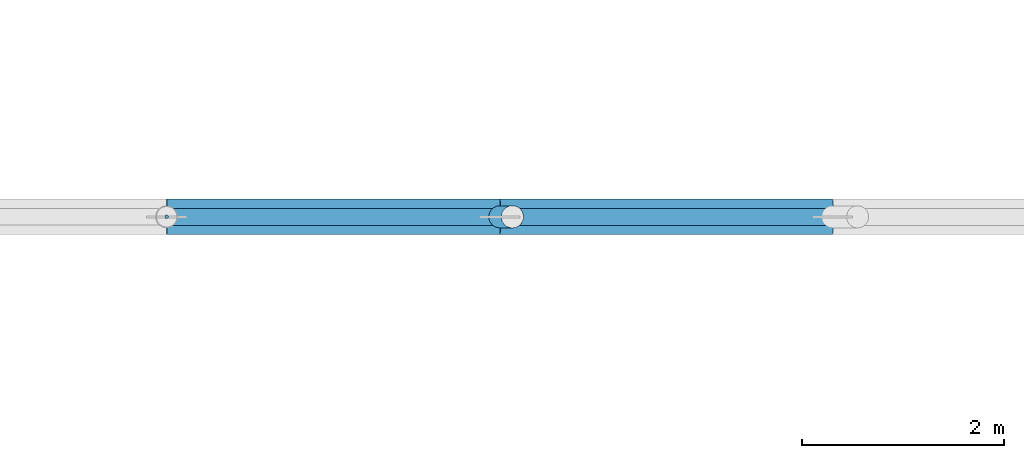
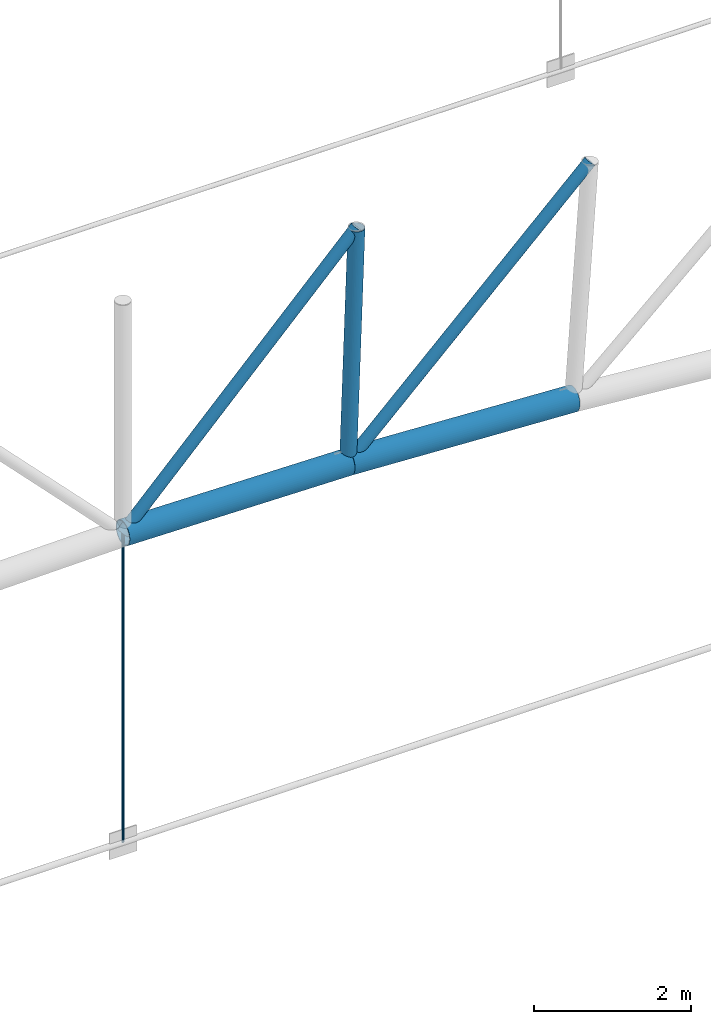
# One storey, part 89 of 321: 6 members.
"""IFC4 building model written with IfcOpenShell, lengths in metres."""

from ifc_helpers import new_model, si_unit, direction, frame, origin, origin_2d, place, context, subcontext, project, spatial, circle, hollow_circle, extrude, material, material_profile, profile_set, type_object, element, save


model = new_model("IFC4")

# Units and contexts
model_context = context("Model", 3, precision=1e-05, world=origin(), true_north=direction((0.0, 1.0)))
body_context = subcontext(model_context, "Body", "Model", "MODEL_VIEW")
ifc_project = project(units=[si_unit("LENGTHUNIT", "METRE"), si_unit("AREAUNIT", "SQUARE_METRE"), si_unit("VOLUMEUNIT", "CUBIC_METRE"), si_unit("PLANEANGLEUNIT", "RADIAN"), si_unit("MASSUNIT", "GRAM", prefix="KILO")], contexts=[model_context])

# Site, building, storey
site_placement = place(None, origin())
site = spatial("IfcSite", under=ifc_project, at=site_placement, CompositionType="ELEMENT")
building_placement = place(site_placement, origin())
building = spatial("IfcBuilding", under=site, at=building_placement, Name="Ravi Spectrum Wholesale Market", CompositionType="ELEMENT")
storey_placement = place(building_placement, frame((0.0, 0.0, 10.800048828125)))
storey = spatial("IfcBuildingStorey", under=building, at=storey_placement, Name="L02", CompositionType="ELEMENT", Elevation=10.800048828125)

# Members
ifc_material_1 = material(Name="Steel S355", Category="steel")
ifc_material_profile_1 = material_profile(ifc_material_1, hollow_circle(Radius=0.084228515625, WallThickness=0.00634765625, at=origin_2d()))
ifc_profile_set_1 = profile_set([ifc_material_profile_1], Name="Steel S355")
member_type_1 = type_object("IfcMemberType", Name="CHS 168.3x6.3 brace", PredefinedType="BRACE", material=ifc_profile_set_1)
for number, where, z_axis, x_axis, name in (
    (1, (73.4296875, 126.0, 8.3408203125), (-0.695749704847, 0.0, -0.718284308756), (0.0, -1.0, 0.0), "H1-MB-L02-731"),
    (2, (76.85546875, 126.0, 8.163330078125), (-0.7201093859, 0.0, -0.69386055684), (0.0, -1.0, 0.0), "H1-MB-L02-732"),
):
    element("IfcMember", number, at=place(storey_placement, frame(where, z_axis=z_axis, x_axis=x_axis)), inside=storey, type_object=member_type_1, Name=name, PredefinedType="BRACE", context=body_context, shape_type="SweptSolid", body=[
        extrude(hollow_circle(Radius=0.084228515625, WallThickness=0.00634765625, at=origin_2d()), origin(), (0.0, 0.0, 1.0), 4.929443359375),
    ])
ifc_material_2 = material(Name="Steel S355", Category="steel")
ifc_material_profile_2 = material_profile(ifc_material_2, hollow_circle(Radius=0.109619140625, WallThickness=0.008056640625, at=origin_2d()))
ifc_profile_set_2 = profile_set([ifc_material_profile_2], Name="Steel S355")
member_type_2 = type_object("IfcMemberType", Name="CHS 219.1x8 post", PredefinedType="POST", material=ifc_profile_set_2)
member_1_placement = place(storey_placement, frame((73.4296875, 126.0, 8.3408203125), z_axis=(-0.034450597287, 0.0, -0.999406401994), x_axis=(0.0, -1.0, 0.0)))
element("IfcMember", 3, at=member_1_placement, inside=storey, type_object=member_type_2, Name="H1-MB-L02-709", PredefinedType="POST", context=body_context, shape_type="SweptSolid", body=[
    extrude(hollow_circle(Radius=0.109619140625, WallThickness=0.008056640625, at=origin_2d()), origin(), (0.0, 0.0, 1.0), 3.60009765625),
])
ifc_material_3 = material(Name="Steel S355", Category="steel")
ifc_material_profile_3 = material_profile(ifc_material_3, hollow_circle(Radius=0.177734375, WallThickness=0.012451171875, at=origin_2d()))
ifc_profile_set_3 = profile_set([ifc_material_profile_3], Name="Steel S355")
member_type_3 = type_object("IfcMemberType", Name="CHS 355.6x12.5 chord", PredefinedType="CHORD", material=ifc_profile_set_3)
for number, where, z_axis, x_axis, name in (
    (4, (70.0, 126.0, 4.800048828125), (0.999850697486, 0.0, -0.017279546766), (0.0, 1.0, 0.0), "H1-MB-L02-685"),
    (5, (73.3056640625, 126.0, 4.742919921875), (0.99866314533, 0.0, -0.051690638992), (0.0, 1.0, 0.0), "H1-MB-L02-686"),
):
    element("IfcMember", number, at=place(storey_placement, frame(where, z_axis=z_axis, x_axis=x_axis)), inside=storey, type_object=member_type_3, Name=name, PredefinedType="CHORD", context=body_context, shape_type="SweptSolid", body=[
        extrude(hollow_circle(Radius=0.177734375, WallThickness=0.012451171875, at=origin_2d()), origin(), (0.0, 0.0, 1.0), 3.30615234375),
    ])
ifc_material_4 = material(Name="Steel S355", Category="steel")
ifc_material_profile_4 = material_profile(ifc_material_4, circle(Radius=0.01806640625, at=origin_2d()))
ifc_profile_set_4 = profile_set([ifc_material_profile_4], Name="Steel S355")
member_type_4 = type_object("IfcMemberType", Name="ROD 36 hanger", PredefinedType="STRUT", material=ifc_profile_set_4)
member_2_placement = place(storey_placement, frame((70.0, 126.0, 0.0), z_axis=(0.0, 0.0, 1.0), x_axis=(1.0, 0.0, 0.0)))
element("IfcMember", 6, at=member_2_placement, inside=storey, type_object=member_type_4, Name="H1-MB-L02-745", PredefinedType="STRUT", context=body_context, shape_type="SweptSolid", body=[
    extrude(circle(Radius=0.01806640625, at=origin_2d()), origin(), (0.0, 0.0, 1.0), 4.800048828125),
])

save(model, "model.ifc")
